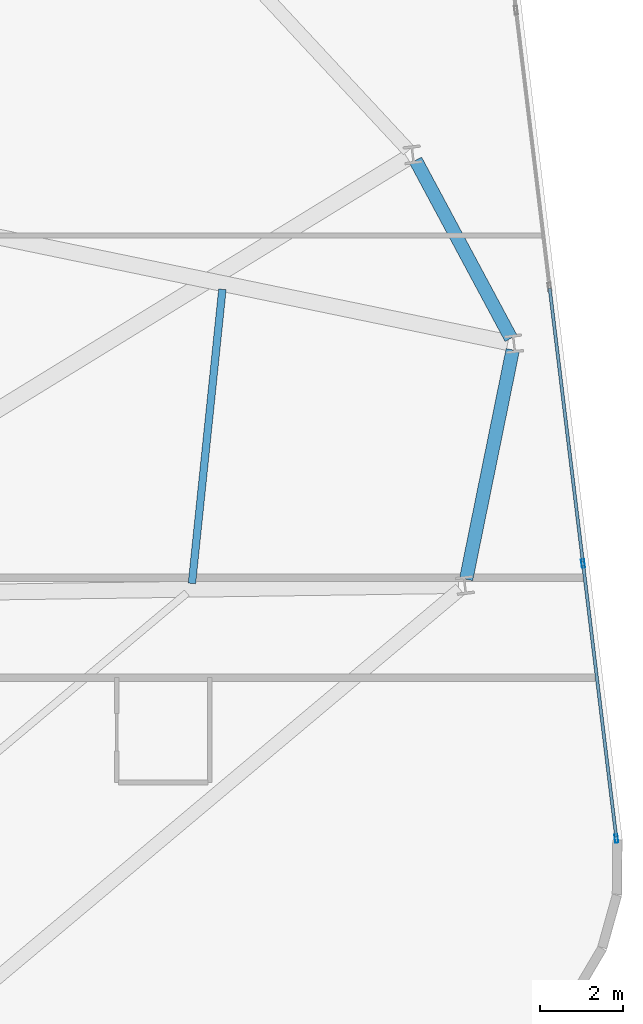
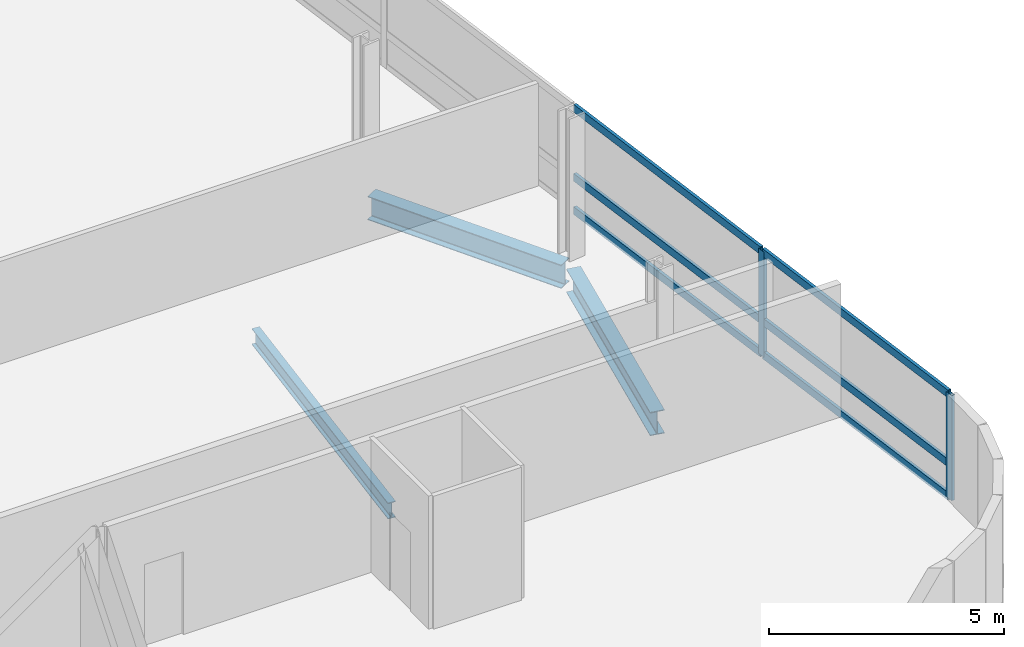
# One storey, part 10 of 23: 8 members, 3 beams, 1 element without a shape of its own.
"""IFC4 building model written with IfcOpenShell, lengths in metres."""

from ifc_helpers import new_model, si_unit, direction, frame, origin, origin_2d, place, context, subcontext, project, spatial, hollow_rectangle, i_section, extrude, material, layer, layer_set, material_profile, profile_set, type_object, element, aggregate, save


model = new_model("IFC4")

# Units and contexts
model_context = context("Model", 3, precision=1e-05, world=origin(), true_north=direction((0.0, 1.0)))
body_context = subcontext(model_context, "Body", "Model", "MODEL_VIEW")
ifc_project = project(units=[si_unit("LENGTHUNIT", "METRE"), si_unit("AREAUNIT", "SQUARE_METRE"), si_unit("VOLUMEUNIT", "CUBIC_METRE"), si_unit("PLANEANGLEUNIT", "RADIAN"), si_unit("MASSUNIT", "GRAM", prefix="KILO")], contexts=[model_context])

# Site, building, storey
site_placement = place(None, origin())
site = spatial("IfcSite", under=ifc_project, at=site_placement, CompositionType="ELEMENT")
building_placement = place(site_placement, origin())
building = spatial("IfcBuilding", under=site, at=building_placement, Name="Varnelok Gate Tower", CompositionType="ELEMENT")
storey_placement = place(building_placement, frame((0.0, 0.0, 189.39990234375)))
storey = spatial("IfcBuildingStorey", under=building, at=storey_placement, Name="L48", CompositionType="ELEMENT", Elevation=189.39990234375)

# Beams
ifc_material_1 = material(Name="Structural Steel ASTM A992 Grade 50", Category="steel")
ifc_material_profile_1 = material_profile(ifc_material_1, i_section(OverallWidth=0.180908203125, OverallDepth=0.4169921875, WebThickness=0.010986328125, FlangeThickness=0.018310546875, FilletRadius=0.013916015625, at=origin_2d()), Name="W16X57")
ifc_profile_set_1 = profile_set([ifc_material_profile_1], Name="Structural Steel ASTM A992 Grade 50")
beam_type_1 = type_object("IfcBeamType", Name="BM-JST-W16X57", PredefinedType="JOIST", material=ifc_profile_set_1)
beam_1_placement = place(storey_placement, frame((65.931884765625, 19.1064453125, -0.45849609375), z_axis=(0.103076572184, 0.994673423927, 0.0), x_axis=(-0.994673423927, 0.103076572184, 0.0)))
element("IfcBeam", 1, at=beam_1_placement, inside=storey, type_object=beam_type_1, Name="L48 Sector Floor Joist 6", PredefinedType="JOIST", context=body_context, shape_type="SweptSolid", body=[
    extrude(i_section(OverallWidth=0.180908203125, OverallDepth=0.4169921875, WebThickness=0.010986328125, FlangeThickness=0.018310546875, FilletRadius=0.013916015625, at=origin_2d()), origin(), (0.0, 0.0, 1.0), 7.089111328125),
])
ifc_material_profile_2 = material_profile(ifc_material_1, i_section(OverallWidth=0.323974609375, OverallDepth=0.611083984375, WebThickness=0.0126953125, FlangeThickness=0.01904296875, FilletRadius=0.01806640625, at=origin_2d()), Name="W24X104")
ifc_profile_set_2 = profile_set([ifc_material_profile_2], Name="Structural Steel ASTM A992 Grade 50")
beam_type_2 = type_object("IfcBeamType", Name="BM-SPN-W24X104", PredefinedType="SPANDREL", material=ifc_profile_set_2)
beam_2_placement = place(storey_placement, frame((72.5068359375, 19.206298828125, -0.555419921875), z_axis=(0.19911018886, 0.979977108249, 0.0), x_axis=(-0.979977108249, 0.19911018886, 0.0)))
element("IfcBeam", 2, at=beam_2_placement, inside=storey, type_object=beam_type_2, Name="L48 Perimeter Spandrel Beam 6", PredefinedType="SPANDREL", context=body_context, shape_type="SweptSolid", body=[
    extrude(i_section(OverallWidth=0.323974609375, OverallDepth=0.611083984375, WebThickness=0.0126953125, FlangeThickness=0.01904296875, FilletRadius=0.01806640625, at=origin_2d()), origin(), (0.0, 0.0, 1.0), 5.612060546875),
])
beam_3_placement = place(storey_placement, frame((73.583251953125, 24.9853515625, -0.555419921875), z_axis=(-0.472471917257, 0.881345725242, 0.0), x_axis=(-0.881345725242, -0.472471917257, 0.0)))
element("IfcBeam", 3, at=beam_3_placement, inside=storey, type_object=beam_type_2, Name="L48 Perimeter Spandrel Beam 7", PredefinedType="SPANDREL", context=body_context, shape_type="SweptSolid", body=[
    extrude(i_section(OverallWidth=0.323974609375, OverallDepth=0.611083984375, WebThickness=0.0126953125, FlangeThickness=0.01904296875, FilletRadius=0.01806640625, at=origin_2d()), origin(), (0.0, 0.0, 1.0), 4.8408203125),
])

# Curtain wall, members
ifc_material_2 = material(Name="Anodized Aluminum Alloy 6063-T6", Category="aluminium")
ifc_layer = layer(ifc_material_2, 0.179931640625)
ifc_layer_set = layer_set([ifc_layer], Name="Anodized Aluminum Alloy 6063-T6")
curtain_wall_type = type_object("IfcCurtainWallType", Name="CW4-RESIDENCE-VISION", PredefinedType="USERDEFINED", material=ifc_layer_set)
curtain_wall_placement = place(storey_placement, origin())
curtain_wall = element("IfcCurtainWall", 4, at=curtain_wall_placement, inside=storey, type_object=curtain_wall_type, Name="L48 East End Vision Curtain Wall", ObjectType="UNITISED CURTAIN WALL", PredefinedType="USERDEFINED")
ifc_material_profile_3 = material_profile(ifc_material_2, hollow_rectangle(XDim=0.074951171875, YDim=0.199951171875, WallThickness=0.00390625, at=origin_2d()), Name="ALU200X75X4")
ifc_profile_set_3 = profile_set([ifc_material_profile_3], Name="Anodized Aluminum Alloy 6063-T6")
member_type_1 = type_object("IfcMemberType", Name="CW-MULL-200", PredefinedType="MULLION", material=ifc_profile_set_3)
member_1_placement = place(storey_placement, frame((75.310302734375, 19.584228515625, 0.0), z_axis=(0.0, 0.0, 1.0), x_axis=(0.992732188751, 0.120344511371, 0.0)))
member_1 = element("IfcMember", 5, at=member_1_placement, type_object=member_type_1, Name="CW4 mullion 5", PredefinedType="MULLION", context=body_context, shape_type="SweptSolid", body=[
    extrude(hollow_rectangle(XDim=0.074951171875, YDim=0.199951171875, WallThickness=0.00390625, at=origin_2d()), origin(), (0.0, 0.0, 1.0), 2.72998046875),
])
member_2_placement = place(storey_placement, frame((76.109619140625, 12.989990234375, 0.0), z_axis=(0.0, 0.0, 1.0), x_axis=(0.992732188751, 0.120344511371, 0.0)))
member_2 = element("IfcMember", 6, at=member_2_placement, type_object=member_type_1, Name="CW4 mullion 6", PredefinedType="MULLION", context=body_context, shape_type="SweptSolid", body=[
    extrude(hollow_rectangle(XDim=0.074951171875, YDim=0.199951171875, WallThickness=0.00390625, at=origin_2d()), origin(), (0.0, 0.0, 1.0), 2.72998046875),
])
ifc_material_profile_4 = material_profile(ifc_material_2, hollow_rectangle(XDim=0.074951171875, YDim=0.199951171875, WallThickness=0.00390625, at=origin_2d()), Name="ALU200X75X4")
ifc_profile_set_4 = profile_set([ifc_material_profile_4], Name="Anodized Aluminum Alloy 6063-T6")
member_type_2 = type_object("IfcMemberType", Name="CW-TRAN-200", PredefinedType="USERDEFINED", material=ifc_profile_set_4)
member_3_placement = place(storey_placement, frame((74.510986328125, 26.178466796875, 0.03759765625), z_axis=(0.120349029092, -0.992731641078, 0.0), x_axis=(0.992731641078, 0.120349029092, 0.0)))
member_3 = element("IfcMember", 7, at=member_3_placement, type_object=member_type_2, Name="CW4 transom 4.1", ObjectType="TRANSOM", PredefinedType="USERDEFINED", context=body_context, shape_type="SweptSolid", body=[
    extrude(hollow_rectangle(XDim=0.074951171875, YDim=0.199951171875, WallThickness=0.00390625, at=origin_2d()), origin(), (0.0, 0.0, 1.0), 6.605224609375),
])
member_4_placement = place(storey_placement, frame((74.510986328125, 26.178466796875, 0.900146484375), z_axis=(0.120349029092, -0.992731641078, 0.0), x_axis=(0.992731641078, 0.120349029092, 0.0)))
member_4 = element("IfcMember", 8, at=member_4_placement, type_object=member_type_2, Name="CW4 transom 4.2", ObjectType="TRANSOM", PredefinedType="USERDEFINED", context=body_context, shape_type="SweptSolid", body=[
    extrude(hollow_rectangle(XDim=0.074951171875, YDim=0.199951171875, WallThickness=0.00390625, at=origin_2d()), origin(), (0.0, 0.0, 1.0), 6.605224609375),
])
member_5_placement = place(storey_placement, frame((74.510986328125, 26.178466796875, 2.692626953125), z_axis=(0.120349029092, -0.992731641078, 0.0), x_axis=(0.992731641078, 0.120349029092, 0.0)))
member_5 = element("IfcMember", 9, at=member_5_placement, type_object=member_type_2, Name="CW4 transom 4.3", ObjectType="TRANSOM", PredefinedType="USERDEFINED", context=body_context, shape_type="SweptSolid", body=[
    extrude(hollow_rectangle(XDim=0.074951171875, YDim=0.199951171875, WallThickness=0.00390625, at=origin_2d()), origin(), (0.0, 0.0, 1.0), 6.605224609375),
])
member_6_placement = place(storey_placement, frame((75.314697265625, 19.546875, 0.03759765625), z_axis=(0.120369113246, -0.992729206066, 0.0), x_axis=(0.992729206066, 0.120369113246, 0.0)))
member_6 = element("IfcMember", 10, at=member_6_placement, type_object=member_type_2, Name="CW4 transom 5.1", ObjectType="TRANSOM", PredefinedType="USERDEFINED", context=body_context, shape_type="SweptSolid", body=[
    extrude(hollow_rectangle(XDim=0.074951171875, YDim=0.199951171875, WallThickness=0.00390625, at=origin_2d()), origin(), (0.0, 0.0, 1.0), 6.567626953125),
])
member_7_placement = place(storey_placement, frame((75.314697265625, 19.546875, 0.900146484375), z_axis=(0.120369113246, -0.992729206066, 0.0), x_axis=(0.992729206066, 0.120369113246, 0.0)))
member_7 = element("IfcMember", 11, at=member_7_placement, type_object=member_type_2, Name="CW4 transom 5.2", ObjectType="TRANSOM", PredefinedType="USERDEFINED", context=body_context, shape_type="SweptSolid", body=[
    extrude(hollow_rectangle(XDim=0.074951171875, YDim=0.199951171875, WallThickness=0.00390625, at=origin_2d()), origin(), (0.0, 0.0, 1.0), 6.567626953125),
])
member_8_placement = place(storey_placement, frame((75.314697265625, 19.546875, 2.692626953125), z_axis=(0.120369113246, -0.992729206066, 0.0), x_axis=(0.992729206066, 0.120369113246, 0.0)))
member_8 = element("IfcMember", 12, at=member_8_placement, type_object=member_type_2, Name="CW4 transom 5.3", ObjectType="TRANSOM", PredefinedType="USERDEFINED", context=body_context, shape_type="SweptSolid", body=[
    extrude(hollow_rectangle(XDim=0.074951171875, YDim=0.199951171875, WallThickness=0.00390625, at=origin_2d()), origin(), (0.0, 0.0, 1.0), 6.567626953125),
])
aggregate(curtain_wall, [member_1, member_2, member_3, member_4, member_5, member_6, member_7, member_8])

save(model, "model.ifc")
